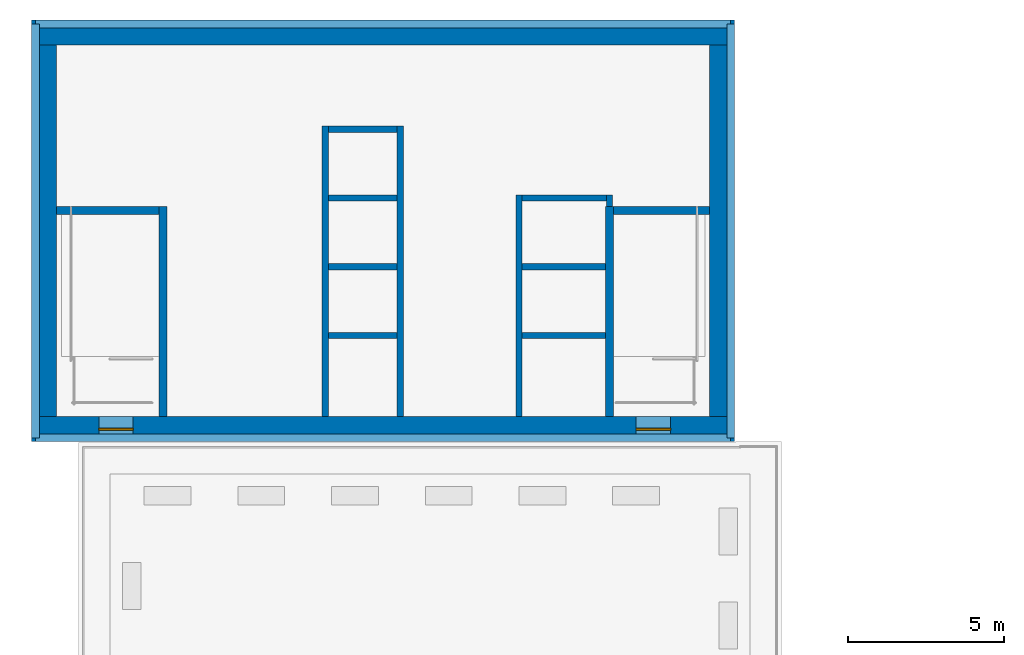
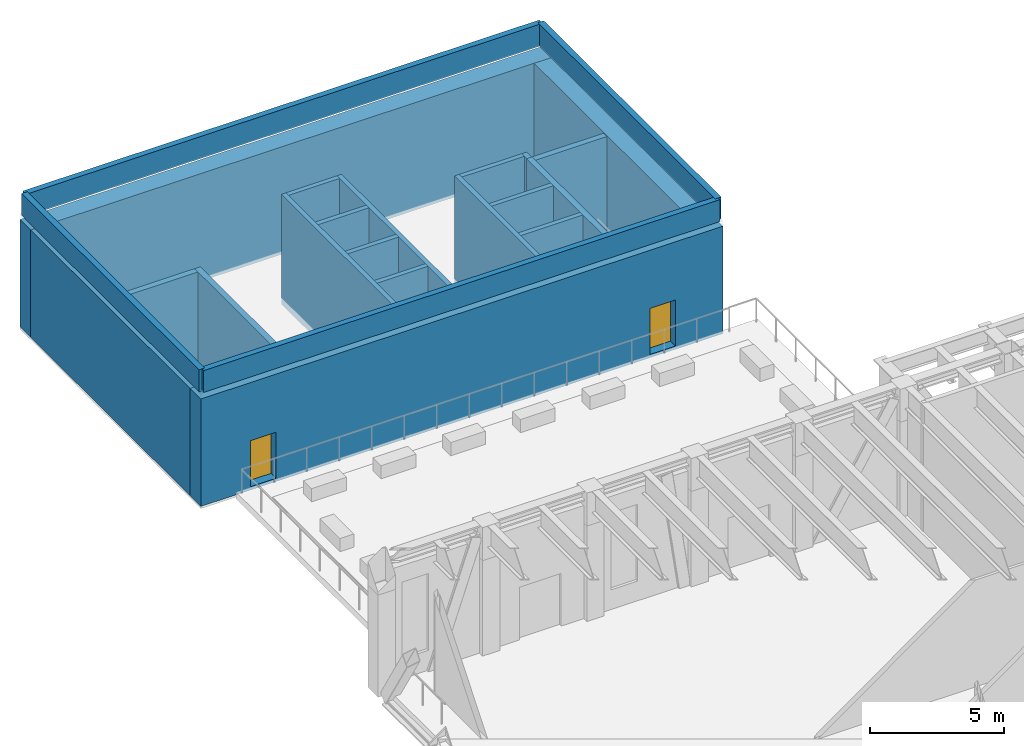
# One storey, part 12 of 20: 23 walls, 2 doors, 2 openings.
"""IFC4 building model written with IfcOpenShell, lengths in metres."""

from ifc_helpers import new_model, si_unit, direction, frame, frame_2d, origin, place, context, subcontext, project, spatial, rectangle, extrude, material, layer, layer_set, type_object, element, fill, save


model = new_model("IFC4")

# Units and contexts
model_context = context("Model", 3, precision=1e-05, world=origin(), true_north=direction((0.0, 1.0)))
body_context = subcontext(model_context, "Body", "Model", "MODEL_VIEW")
ifc_project = project(units=[si_unit("LENGTHUNIT", "METRE"), si_unit("AREAUNIT", "SQUARE_METRE"), si_unit("VOLUMEUNIT", "CUBIC_METRE"), si_unit("PLANEANGLEUNIT", "RADIAN"), si_unit("MASSUNIT", "GRAM", prefix="KILO")], contexts=[model_context])

# Site, building, storey
site_placement = place(None, origin())
site = spatial("IfcSite", under=ifc_project, at=site_placement, CompositionType="ELEMENT")
building_placement = place(site_placement, origin())
building = spatial("IfcBuilding", under=site, at=building_placement, Name="Sennacour Bend Tower", CompositionType="ELEMENT")
storey_placement = place(building_placement, frame((0.0, 0.0, 243.0)))
storey = spatial("IfcBuildingStorey", under=building, at=storey_placement, Name="L56", CompositionType="ELEMENT", Elevation=243.0)

# Wall, openings, doors
ifc_material_1 = material(Name="Concrete C50/60", Category="concrete")
ifc_layer_1 = layer(ifc_material_1, 0.800048828125, Name="Concrete C50/60", Category="concrete")
ifc_layer_set_1 = layer_set([ifc_layer_1], Name="Concrete C50/60")
wall_type_1 = type_object("IfcWallType", Name="Core wall 800 C50/60", PredefinedType="SHEAR", material=ifc_layer_set_1)
wall_1_placement = place(storey_placement, frame((0.0, 36.39990234375, -0.14990234375), z_axis=(0.0, 0.0, 1.0), x_axis=(1.0, 0.0, 0.0)))
wall_1 = element("IfcWall", 1, at=wall_1_placement, inside=storey, type_object=wall_type_1, Name="Core B wall L56 S", PredefinedType="SHEAR", context=body_context, shape_type="SweptSolid", body=[
    extrude(rectangle(XDim=22.5, YDim=0.800048828125, at=frame_2d((11.25, 0.0))), origin(), (0.0, 0.0, 1.0), 4.89990234375),
])
opening_1_placement = place(wall_1_placement, frame((2.14990234375, 0.0, 0.14990234375)))
opening_1 = element("IfcOpeningElement", 2, at=opening_1_placement, cuts=wall_1, Name="Opening SD", PredefinedType="OPENING", context=body_context, shape_type="SweptSolid", body=[
    extrude(rectangle(XDim=1.10009765625, YDim=2.10009765625, at=frame_2d((0.550048828125, 1.050048828125))), frame((0.0, 0.41015625, 0.0), z_axis=(0.0, -1.0, 0.0), x_axis=(1.0, 0.0, 0.0)), (0.0, 0.0, 1.0), 0.820068359375),
])
opening_2_placement = place(wall_1_placement, frame((19.35009765625, 0.0, 0.14990234375)))
opening_2 = element("IfcOpeningElement", 3, at=opening_2_placement, cuts=wall_1, Name="Opening SD", PredefinedType="OPENING", context=body_context, shape_type="SweptSolid", body=[
    extrude(rectangle(XDim=1.10009765625, YDim=2.10009765625, at=frame_2d((0.550048828125, 1.050048828125))), frame((0.0, 0.41015625, 0.0), z_axis=(0.0, -1.0, 0.0), x_axis=(1.0, 0.0, 0.0)), (0.0, 0.0, 1.0), 0.820068359375),
])
ifc_material_2 = material(Name="Painted steel", Category="steel")
door_type = type_object("IfcDoorType", Name="DR-STAIR-1100", OperationType="NOTDEFINED", PredefinedType="DOOR", material=ifc_material_2)
door_1_placement = place(opening_1_placement, origin())
door_1 = element("IfcDoor", 4, at=door_1_placement, inside=storey, type_object=door_type, Name="Door", OperationType="SINGLE_SWING_LEFT", OverallHeight=2.10009765625, OverallWidth=1.10009765625, PredefinedType="DOOR", context=body_context, shape_type="SweptSolid", body=[
    extrude(rectangle(XDim=1.10009765625, YDim=2.10009765625, at=frame_2d((0.550048828125, 1.050048828125))), frame((0.0, 0.02490234375, 0.0), z_axis=(0.0, -1.0, 0.0), x_axis=(1.0, 0.0, 0.0)), (0.0, 0.0, 1.0), 0.050048828125),
])
fill(opening_1, door_1)
door_2_placement = place(opening_2_placement, origin())
door_2 = element("IfcDoor", 5, at=door_2_placement, inside=storey, type_object=door_type, Name="Door", OperationType="SINGLE_SWING_RIGHT", OverallHeight=2.10009765625, OverallWidth=1.10009765625, PredefinedType="DOOR", context=body_context, shape_type="SweptSolid", body=[
    extrude(rectangle(XDim=1.10009765625, YDim=2.10009765625, at=frame_2d((0.550048828125, 1.050048828125))), frame((0.0, 0.02490234375, 0.0), z_axis=(0.0, -1.0, 0.0), x_axis=(1.0, 0.0, 0.0)), (0.0, 0.0, 1.0), 0.050048828125),
])
fill(opening_2, door_2)

# Walls
wall_2_placement = place(storey_placement, frame((0.0, 49.10009765625, -0.14990234375), z_axis=(0.0, 0.0, 1.0), x_axis=(1.0, 0.0, 0.0)))
element("IfcWall", 6, at=wall_2_placement, inside=storey, type_object=wall_type_1, Name="Core B wall L56 N", PredefinedType="SHEAR", context=body_context, shape_type="SweptSolid", body=[
    extrude(rectangle(XDim=22.5, YDim=0.800048828125, at=frame_2d((11.25, 0.0))), origin(), (0.0, 0.0, 1.0), 4.89990234375),
])
for number, where, z_axis, x_axis, name in (
    (7, (0.39990234375, 36.800048828125, -0.14990234375), (0.0, 0.0, 1.0), (0.0, 1.0, 0.0), "Core B wall L56 W"),
    (8, (22.10009765625, 36.800048828125, -0.14990234375), (0.0, 0.0, 1.0), (0.0, 1.0, 0.0), "Core B wall L56 E"),
):
    element("IfcWall", number, at=place(storey_placement, frame(where, z_axis=z_axis, x_axis=x_axis)), inside=storey, type_object=wall_type_1, Name=name, PredefinedType="SHEAR", context=body_context, shape_type="SweptSolid", body=[
        extrude(rectangle(XDim=11.89990234375, YDim=0.800048828125, at=frame_2d((5.949951171875, 0.0))), origin(), (0.0, 0.0, 1.0), 4.89990234375),
    ])
ifc_material_3 = material(Name="Warm limestone cladding", Category="masonry")
ifc_layer_2 = layer(ifc_material_3, 0.050048828125, Name="Warm limestone cladding", Category="masonry")
ifc_material_4 = material(Name="Precast concrete C40/50", Category="concrete")
ifc_layer_3 = layer(ifc_material_4, 0.199951171875, Name="Precast concrete C40/50", Category="concrete")
ifc_layer_set_2 = layer_set([ifc_layer_2, ifc_layer_3], Name="Precast concrete C40/50 with limestone cladding")
wall_type_2 = type_object("IfcWallType", Name="STONE-CLAD PARAPET 250", PredefinedType="PARAPET", material=ifc_layer_set_2)
wall_3_placement = place(storey_placement, frame((22.375, 36.125, 5.0), z_axis=(0.0, 0.0, 1.0), x_axis=(-1.0, 0.0, 0.0)))
element("IfcWall", 9, at=wall_3_placement, inside=storey, type_object=wall_type_2, Name="Parapet L56", PredefinedType="PARAPET", context=body_context, shape_type="SweptSolid", body=[
    extrude(rectangle(XDim=22.25, YDim=0.25, at=frame_2d((11.125, 0.0))), origin(), (0.0, 0.0, 1.0), 1.0),
])
wall_4_placement = place(storey_placement, frame((0.125, 36.125, 5.0), z_axis=(0.0, 0.0, 1.0), x_axis=(0.0, 1.0, 0.0)))
element("IfcWall", 10, at=wall_4_placement, inside=storey, type_object=wall_type_2, Name="Parapet L56", PredefinedType="PARAPET", context=body_context, shape_type="SweptSolid", body=[
    extrude(rectangle(XDim=13.25, YDim=0.25, at=frame_2d((6.625, 0.0))), origin(), (0.0, 0.0, 1.0), 1.0),
])
wall_5_placement = place(storey_placement, frame((0.125, 49.375, 5.0), z_axis=(0.0, 0.0, 1.0), x_axis=(1.0, 0.0, 0.0)))
element("IfcWall", 11, at=wall_5_placement, inside=storey, type_object=wall_type_2, Name="Parapet L56", PredefinedType="PARAPET", context=body_context, shape_type="SweptSolid", body=[
    extrude(rectangle(XDim=22.25, YDim=0.25, at=frame_2d((11.125, 0.0))), origin(), (0.0, 0.0, 1.0), 1.0),
])
wall_6_placement = place(storey_placement, frame((22.375, 49.375, 5.0), z_axis=(0.0, 0.0, 1.0), x_axis=(0.0, -1.0, 0.0)))
element("IfcWall", 12, at=wall_6_placement, inside=storey, type_object=wall_type_2, Name="Parapet L56", PredefinedType="PARAPET", context=body_context, shape_type="SweptSolid", body=[
    extrude(rectangle(XDim=13.25, YDim=0.25, at=frame_2d((6.625, 0.0))), origin(), (0.0, 0.0, 1.0), 1.0),
])
ifc_layer_4 = layer(ifc_material_1, 0.199951171875, Name="Concrete C50/60", Category="concrete")
ifc_layer_set_3 = layer_set([ifc_layer_4], Name="Concrete C50/60")
wall_type_3 = type_object("IfcWallType", Name="Shaft wall 200", PredefinedType="SOLIDWALL", material=ifc_layer_set_3)
for number, where, z_axis, x_axis, name in (
    (13, (9.39990234375, 36.800048828125, -0.300048828125), (0.0, 0.0, 1.0), (0.0, 1.0, 0.0), "P-L56-W007"),
    (14, (11.800048828125, 36.800048828125, -0.300048828125), (0.0, 0.0, 1.0), (0.0, 1.0, 0.0), "P-L56-W008"),
):
    element("IfcWall", number, at=place(storey_placement, frame(where, z_axis=z_axis, x_axis=x_axis)), inside=storey, type_object=wall_type_3, Name=name, PredefinedType="SOLIDWALL", context=body_context, shape_type="SweptSolid", body=[
        extrude(rectangle(XDim=9.300048828125, YDim=0.199951171875, at=frame_2d((4.64990234375, 0.0))), origin(), (0.0, 0.0, 1.0), 5.0),
    ])
wall_7_placement = place(storey_placement, frame((15.60009765625, 36.800048828125, -0.300048828125), z_axis=(0.0, 0.0, 1.0), x_axis=(0.0, 1.0, 0.0)))
element("IfcWall", 15, at=wall_7_placement, inside=storey, type_object=wall_type_3, Name="P-L56-W009", PredefinedType="SOLIDWALL", context=body_context, shape_type="SweptSolid", body=[
    extrude(rectangle(XDim=7.099853515625, YDim=0.199951171875, at=frame_2d((3.5498046875, 0.0))), origin(), (0.0, 0.0, 1.0), 5.0),
])
wall_8_placement = place(storey_placement, frame((18.5, 43.52490234375, -0.300048828125), z_axis=(0.0, 0.0, 1.0), x_axis=(0.0, 1.0, 0.0)))
element("IfcWall", 16, at=wall_8_placement, inside=storey, type_object=wall_type_3, Name="P-L56-W012", PredefinedType="SOLIDWALL", context=body_context, shape_type="SweptSolid", body=[
    extrude(rectangle(XDim=0.375, YDim=0.199951171875, at=frame_2d((0.1875, 0.0))), origin(), (0.0, 0.0, 1.0), 5.0),
])
wall_9_placement = place(storey_placement, frame((9.5, 39.39990234375, -0.300048828125), z_axis=(0.0, 0.0, 1.0), x_axis=(1.0, 0.0, 0.0)))
element("IfcWall", 17, at=wall_9_placement, inside=storey, type_object=wall_type_3, Name="P-L56-W051", PredefinedType="SOLIDWALL", context=body_context, shape_type="SweptSolid", body=[
    extrude(rectangle(XDim=2.199951171875, YDim=0.199951171875, at=frame_2d((1.10009765625, 0.0))), origin(), (0.0, 0.0, 1.0), 5.0),
])
wall_10_placement = place(storey_placement, frame((15.699951171875, 39.39990234375, -0.300048828125), z_axis=(0.0, 0.0, 1.0), x_axis=(1.0, 0.0, 0.0)))
element("IfcWall", 18, at=wall_10_placement, inside=storey, type_object=wall_type_3, Name="P-L56-W052", PredefinedType="SOLIDWALL", context=body_context, shape_type="SweptSolid", body=[
    extrude(rectangle(XDim=2.675048828125, YDim=0.199951171875, at=frame_2d((1.33740234375, 0.0))), origin(), (0.0, 0.0, 1.0), 5.0),
])
wall_11_placement = place(storey_placement, frame((9.5, 41.60009765625, -0.300048828125), z_axis=(0.0, 0.0, 1.0), x_axis=(1.0, 0.0, 0.0)))
element("IfcWall", 19, at=wall_11_placement, inside=storey, type_object=wall_type_3, Name="P-L56-W053", PredefinedType="SOLIDWALL", context=body_context, shape_type="SweptSolid", body=[
    extrude(rectangle(XDim=2.199951171875, YDim=0.199951171875, at=frame_2d((1.10009765625, 0.0))), origin(), (0.0, 0.0, 1.0), 5.0),
])
wall_12_placement = place(storey_placement, frame((15.699951171875, 41.60009765625, -0.300048828125), z_axis=(0.0, 0.0, 1.0), x_axis=(1.0, 0.0, 0.0)))
element("IfcWall", 20, at=wall_12_placement, inside=storey, type_object=wall_type_3, Name="P-L56-W054", PredefinedType="SOLIDWALL", context=body_context, shape_type="SweptSolid", body=[
    extrude(rectangle(XDim=2.675048828125, YDim=0.199951171875, at=frame_2d((1.33740234375, 0.0))), origin(), (0.0, 0.0, 1.0), 5.0),
])
wall_13_placement = place(storey_placement, frame((9.5, 43.800048828125, -0.300048828125), z_axis=(0.0, 0.0, 1.0), x_axis=(1.0, 0.0, 0.0)))
element("IfcWall", 21, at=wall_13_placement, inside=storey, type_object=wall_type_3, Name="P-L56-W057", PredefinedType="SOLIDWALL", context=body_context, shape_type="SweptSolid", body=[
    extrude(rectangle(XDim=2.199951171875, YDim=0.199951171875, at=frame_2d((1.10009765625, 0.0))), origin(), (0.0, 0.0, 1.0), 5.0),
])
wall_14_placement = place(storey_placement, frame((15.699951171875, 43.800048828125, -0.300048828125), z_axis=(0.0, 0.0, 1.0), x_axis=(1.0, 0.0, 0.0)))
element("IfcWall", 22, at=wall_14_placement, inside=storey, type_object=wall_type_3, Name="P-L56-W058", PredefinedType="SOLIDWALL", context=body_context, shape_type="SweptSolid", body=[
    extrude(rectangle(XDim=2.699951171875, YDim=0.199951171875, at=frame_2d((1.35009765625, 0.0))), origin(), (0.0, 0.0, 1.0), 5.0),
])
wall_15_placement = place(storey_placement, frame((9.5, 46.0, -0.300048828125), z_axis=(0.0, 0.0, 1.0), x_axis=(1.0, 0.0, 0.0)))
element("IfcWall", 23, at=wall_15_placement, inside=storey, type_object=wall_type_3, Name="P-L56-W059", PredefinedType="SOLIDWALL", context=body_context, shape_type="SweptSolid", body=[
    extrude(rectangle(XDim=2.199951171875, YDim=0.199951171875, at=frame_2d((1.10009765625, 0.0))), origin(), (0.0, 0.0, 1.0), 5.0),
])
ifc_material_5 = material(Name="Concrete C60/75", Category="concrete")
ifc_layer_5 = layer(ifc_material_5, 0.25, Name="Concrete C60/75", Category="concrete")
ifc_layer_set_4 = layer_set([ifc_layer_5], Name="Concrete C60/75")
wall_type_4 = type_object("IfcWallType", Name="Stair wall 250", PredefinedType="SHEAR", material=ifc_layer_set_4)
for number, where, z_axis, x_axis, name in (
    (24, (4.199951171875, 36.800048828125, -0.300048828125), (0.0, 0.0, 1.0), (0.0, 1.0, 0.0), "P-L56-W003"),
    (25, (18.5, 36.800048828125, -0.300048828125), (0.0, 0.0, 1.0), (0.0, 1.0, 0.0), "P-L56-W011"),
):
    element("IfcWall", number, at=place(storey_placement, frame(where, z_axis=z_axis, x_axis=x_axis)), inside=storey, type_object=wall_type_4, Name=name, PredefinedType="SHEAR", context=body_context, shape_type="SweptSolid", body=[
        extrude(rectangle(XDim=6.724853515625, YDim=0.25, at=frame_2d((3.3623046875, 0.0))), origin(), (0.0, 0.0, 1.0), 5.0),
    ])
wall_16_placement = place(storey_placement, frame((0.800048828125, 43.39990234375, -0.300048828125), z_axis=(0.0, 0.0, 1.0), x_axis=(1.0, 0.0, 0.0)))
element("IfcWall", 26, at=wall_16_placement, inside=storey, type_object=wall_type_4, Name="P-L56-W055", PredefinedType="SHEAR", context=body_context, shape_type="SweptSolid", body=[
    extrude(rectangle(XDim=3.27490234375, YDim=0.25, at=frame_2d((1.637451171875, 0.0))), origin(), (0.0, 0.0, 1.0), 5.0),
])
wall_17_placement = place(storey_placement, frame((18.625, 43.39990234375, -0.300048828125), z_axis=(0.0, 0.0, 1.0), x_axis=(1.0, 0.0, 0.0)))
element("IfcWall", 27, at=wall_17_placement, inside=storey, type_object=wall_type_4, Name="P-L56-W056", PredefinedType="SHEAR", context=body_context, shape_type="SweptSolid", body=[
    extrude(rectangle(XDim=3.074951171875, YDim=0.25, at=frame_2d((1.53759765625, 0.0))), origin(), (0.0, 0.0, 1.0), 5.0),
])

save(model, "model.ifc")
